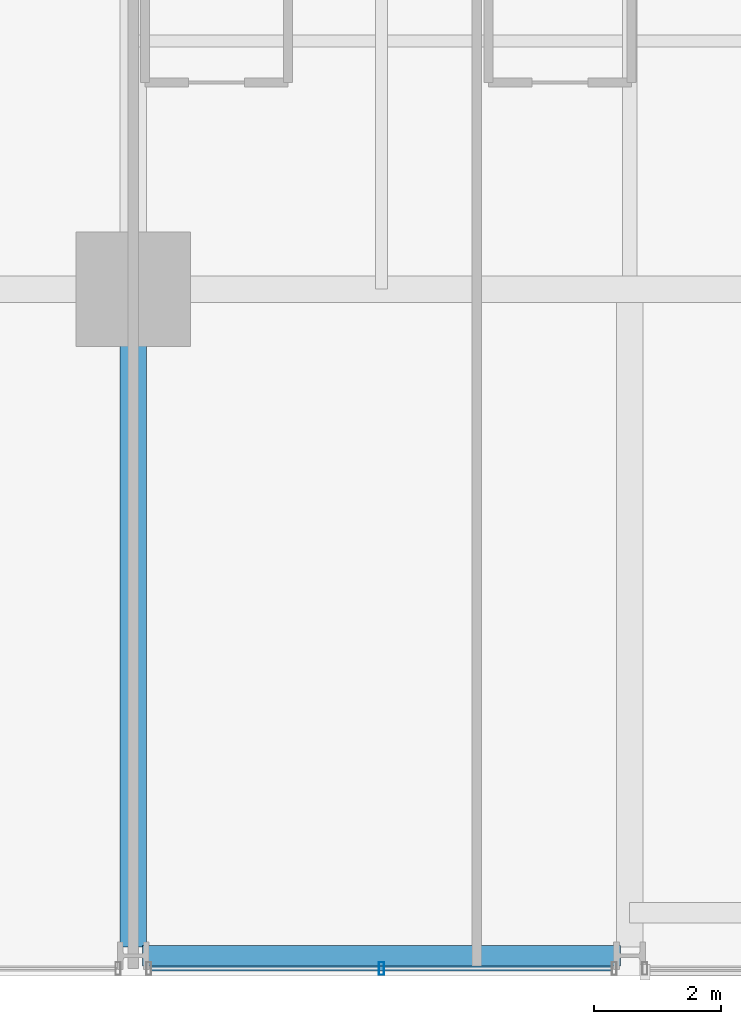
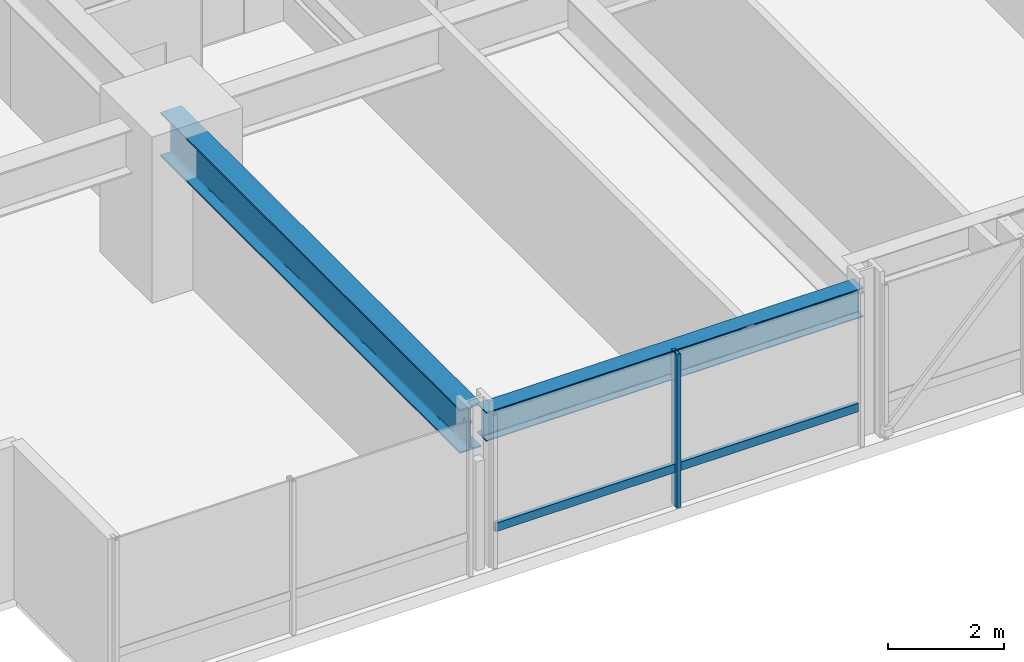
# One storey, part 3 of 42: 2 beams, 2 members, 1 element without a shape of its own.
"""IFC4 building model written with IfcOpenShell, lengths in metres."""

from ifc_helpers import new_model, si_unit, direction, frame, origin, origin_2d, place, context, subcontext, project, spatial, hollow_rectangle, i_section, extrude, material, layer, layer_set, material_profile, profile_set, type_object, element, aggregate, save


model = new_model("IFC4")

# Units and contexts
model_context = context("Model", 3, precision=1e-05, world=origin(), true_north=direction((0.0, 1.0)))
body_context = subcontext(model_context, "Body", "Model", "MODEL_VIEW")
ifc_project = project(units=[si_unit("LENGTHUNIT", "METRE"), si_unit("AREAUNIT", "SQUARE_METRE"), si_unit("VOLUMEUNIT", "CUBIC_METRE"), si_unit("PLANEANGLEUNIT", "RADIAN"), si_unit("MASSUNIT", "GRAM", prefix="KILO")], contexts=[model_context])

# Site, building, storey
site_placement = place(None, origin())
site = spatial("IfcSite", under=ifc_project, at=site_placement, CompositionType="ELEMENT")
building_placement = place(site_placement, origin())
building = spatial("IfcBuilding", under=site, at=building_placement, Name="Drelvath Grand Hotel", CompositionType="ELEMENT")
storey_placement = place(building_placement, frame((0.0, 0.0, 33.199951171875)))
storey = spatial("IfcBuildingStorey", under=building, at=storey_placement, Name="L06", CompositionType="ELEMENT", Elevation=33.199951171875)

# Curtain wall, members
ifc_material_1 = material(Name="Warm Bronze Anodised Aluminium Frame", Category="aluminium")
ifc_layer = layer(ifc_material_1, 0.199951171875)
ifc_layer_set = layer_set([ifc_layer], Name="Warm Bronze Anodised Aluminium Frame")
curtain_wall_type = type_object("IfcCurtainWallType", Name="Stick Curtain Wall CW-02 Warm Bronze Low-Rise", PredefinedType="NOTDEFINED", material=ifc_layer_set)
curtain_wall_placement = place(storey_placement, origin())
curtain_wall = element("IfcCurtainWall", 1, at=curtain_wall_placement, inside=storey, type_object=curtain_wall_type, Name="L06 CW-02 Curtain Wall CW02-L06-SW2", PredefinedType="NOTDEFINED")
ifc_material_profile_1 = material_profile(ifc_material_1, hollow_rectangle(XDim=0.074951171875, YDim=0.179931640625, WallThickness=0.0048828125, at=origin_2d()), Name="HSS180X75X5")
ifc_profile_set_1 = profile_set([ifc_material_profile_1], Name="Warm Bronze Anodised Aluminium Frame")
member_type_1 = type_object("IfcMemberType", Name="Curtain Wall Horizontal Transom CW-02 HSS180X75X5", PredefinedType="USERDEFINED", material=ifc_profile_set_1)
member_1_placement = place(storey_placement, frame((-8.680908203125, 0.1201171875, 0.81005859375), z_axis=(-1.0, 0.0, 0.0), x_axis=(0.0, -1.0, 0.0)))
member_1 = element("IfcMember", 2, at=member_1_placement, type_object=member_type_1, Name="CW02-L06-SW2 Sill Transom", ObjectType="TRANSOM", PredefinedType="USERDEFINED", context=body_context, shape_type="SweptSolid", body=[
    extrude(hollow_rectangle(XDim=0.074951171875, YDim=0.179931640625, WallThickness=0.0048828125, at=origin_2d()), origin(), (0.0, 0.0, 1.0), 7.23828125),
])
ifc_material_profile_2 = material_profile(ifc_material_1, hollow_rectangle(XDim=0.080078125, YDim=0.199951171875, WallThickness=0.0048828125, at=origin_2d()), Name="HSS200X80X5")
ifc_profile_set_2 = profile_set([ifc_material_profile_2], Name="Warm Bronze Anodised Aluminium Frame")
member_type_2 = type_object("IfcMemberType", Name="Curtain Wall Vertical Mullion CW-02 HSS200X80X5", PredefinedType="MULLION", material=ifc_profile_set_2)
member_2_placement = place(storey_placement, frame((-12.300048828125, 0.1201171875, 0.0), z_axis=(0.0, 0.0, 1.0), x_axis=(1.0, 0.0, 0.0)))
member_2 = element("IfcMember", 3, at=member_2_placement, type_object=member_type_2, Name="CW02-L06-SW2 Mullion 2", PredefinedType="MULLION", context=body_context, shape_type="SweptSolid", body=[
    extrude(hollow_rectangle(XDim=0.080078125, YDim=0.199951171875, WallThickness=0.0048828125, at=origin_2d()), origin(), (0.0, 0.0, 1.0), 3.239990234375),
])
aggregate(curtain_wall, [member_2, member_1])

# Beams
ifc_material_2 = material(Name="Steel ASTM A992 Gr 50", Category="steel")
ifc_material_profile_3 = material_profile(ifc_material_2, i_section(OverallWidth=0.323974609375, OverallDepth=0.611083984375, WebThickness=0.0126953125, FlangeThickness=0.01904296875, FilletRadius=0.02197265625, at=origin_2d()), Name="W24X104")
ifc_profile_set_3 = profile_set([ifc_material_profile_3], Name="Steel ASTM A992 Gr 50")
beam_type_1 = type_object("IfcBeamType", Name="Perimeter Spandrel Beam W24X104", PredefinedType="SPANDREL", material=ifc_profile_set_3)
beam_1_placement = place(storey_placement, frame((-16.06005859375, 0.320068359375, 2.9345703125), z_axis=(1.0, 0.0, 0.0), x_axis=(0.0, 1.0, 0.0)))
element("IfcBeam", 4, at=beam_1_placement, inside=storey, type_object=beam_type_1, Name="L06 Spandrel South W", PredefinedType="SPANDREL", context=body_context, shape_type="SweptSolid", body=[
    extrude(i_section(OverallWidth=0.323974609375, OverallDepth=0.611083984375, WebThickness=0.0126953125, FlangeThickness=0.01904296875, FilletRadius=0.02197265625, at=origin_2d()), origin(), (0.0, 0.0, 1.0), 7.52001953125),
])
ifc_material_profile_4 = material_profile(ifc_material_2, i_section(OverallWidth=0.418212890625, OverallDepth=0.926513671875, WebThickness=0.019287109375, FlangeThickness=0.031982421875, FilletRadius=0.028076171875, at=origin_2d()), Name="W36X231")
ifc_profile_set_4 = profile_set([ifc_material_profile_4], Name="Steel ASTM A992 Gr 50")
beam_type_2 = type_object("IfcBeamType", Name="Primary Floor Girder W36X231", PredefinedType="BEAM", material=ifc_profile_set_4)
beam_2_placement = place(storey_placement, frame((-16.199951171875, 0.4599609375, 2.77685546875), z_axis=(0.0, 1.0, 0.0), x_axis=(-1.0, 0.0, 0.0)))
element("IfcBeam", 5, at=beam_2_placement, inside=storey, type_object=beam_type_2, Name="L06 South Grid Girder 3", PredefinedType="BEAM", context=body_context, shape_type="SweptSolid", body=[
    extrude(i_section(OverallWidth=0.418212890625, OverallDepth=0.926513671875, WebThickness=0.019287109375, FlangeThickness=0.031982421875, FilletRadius=0.028076171875, at=origin_2d()), origin(), (0.0, 0.0, 1.0), 10.340087890625),
])

save(model, "model.ifc")
